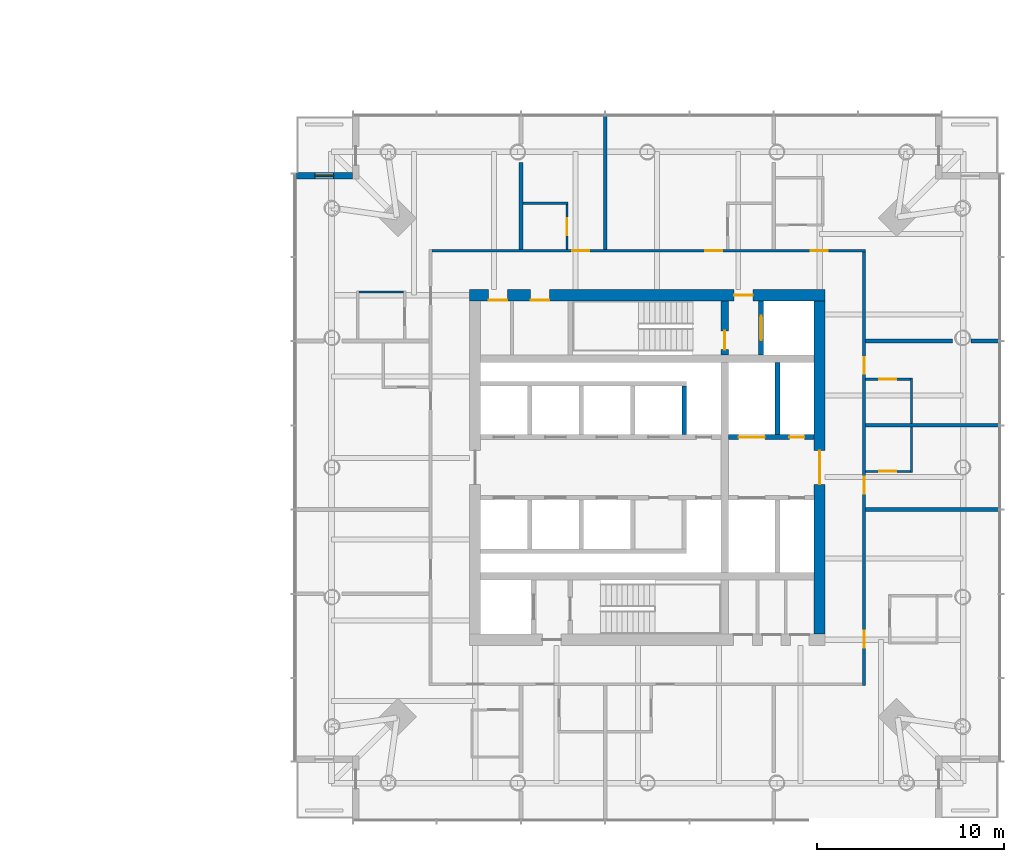
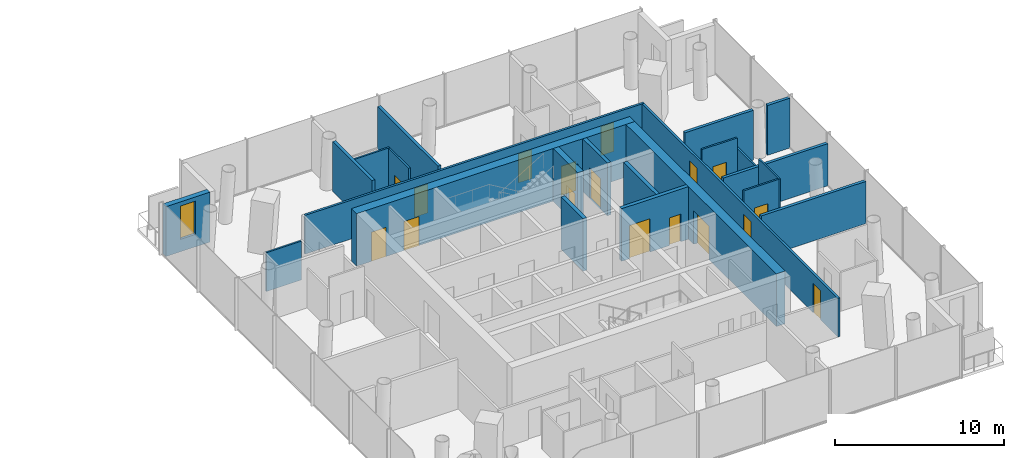
# One storey, part 14 of 18: 23 walls, 17 doors, 1 window, 18 openings.
"""IFC4 building model written with IfcOpenShell, lengths in metres."""

from ifc_helpers import new_model, si_unit, direction, frame, frame_2d, origin, place, context, subcontext, project, spatial, rectangle, extrude, material, layer, layer_set, type_object, element, fill, save


model = new_model("IFC4")

# Units and contexts
model_context = context("Model", 3, precision=1e-05, world=origin(), true_north=direction((0.0, 1.0)))
body_context = subcontext(model_context, "Body", "Model", "MODEL_VIEW")
ifc_project = project(units=[si_unit("LENGTHUNIT", "METRE"), si_unit("AREAUNIT", "SQUARE_METRE"), si_unit("VOLUMEUNIT", "CUBIC_METRE"), si_unit("PLANEANGLEUNIT", "RADIAN"), si_unit("MASSUNIT", "GRAM", prefix="KILO")], contexts=[model_context])

# Site, building, storey
site_placement = place(None, origin())
site = spatial("IfcSite", under=ifc_project, at=site_placement, CompositionType="ELEMENT")
building_placement = place(site_placement, origin())
building = spatial("IfcBuilding", under=site, at=building_placement, Name="Ostroluk Exchange", CompositionType="ELEMENT")
storey_placement = place(building_placement, frame((0.0, 0.0, 70.39990234375)))
storey = spatial("IfcBuildingStorey", under=building, at=storey_placement, Name="L17", CompositionType="ELEMENT", Elevation=70.39990234375)

# Wall, opening, door
ifc_material_1 = material(Name="Concrete C50/60", Category="concrete")
ifc_layer_1 = layer(ifc_material_1, 0.39990234375)
ifc_layer_set_1 = layer_set([ifc_layer_1], Name="Core cross wall 400 C50/60")
wall_type_1 = type_object("IfcWallType", Name="Core cross wall 400 C50/60", PredefinedType="SHEAR", material=ifc_layer_set_1)
wall_1_placement = place(storey_placement, frame((121.1298828125, 52.0, 0.0), z_axis=(0.0, 0.0, 1.0), x_axis=(0.0, 1.0, 0.0)))
wall_1 = element("IfcWall", 1, at=wall_1_placement, inside=storey, type_object=wall_type_1, Name="T2 core wall YE3", PredefinedType="SHEAR", context=body_context, shape_type="SweptSolid", body=[
    extrude(rectangle(XDim=2.89990234375, YDim=0.39990234375, at=frame_2d((1.449951171875, 0.0))), origin(), (0.0, 0.0, 1.0), 3.800048828125),
])
opening_1_placement = place(wall_1_placement, frame((0.300048828125, 0.0, 0.0)))
opening_1 = element("IfcOpeningElement", 2, at=opening_1_placement, cuts=wall_1, Name="Opening FD60", PredefinedType="OPENING", context=body_context, shape_type="SweptSolid", body=[
    extrude(rectangle(XDim=1.0, YDim=2.10009765625, at=frame_2d((0.5, 1.050048828125))), frame((0.0, 0.2099609375, 0.0), z_axis=(0.0, -1.0, 0.0), x_axis=(1.0, 0.0, 0.0)), (0.0, 0.0, 1.0), 0.419921875),
])
ifc_material_2 = material(Name="Steel", Category="steel")
door_type_1 = type_object("IfcDoorType", Name="Fire door EI 60 1000 x 2100", OperationType="SINGLE_SWING_LEFT", PredefinedType="DOOR", material=ifc_material_2)
door_1_placement = place(opening_1_placement, origin())
door_1 = element("IfcDoor", 3, at=door_1_placement, inside=storey, type_object=door_type_1, Name="Stair T2-S2 door", OperationType="SINGLE_SWING_LEFT", OverallHeight=2.10009765625, OverallWidth=1.0, PredefinedType="DOOR", context=body_context, shape_type="SweptSolid", body=[
    extrude(rectangle(XDim=1.0, YDim=2.10009765625, at=frame_2d((0.5, 1.050048828125))), frame((0.0, 0.02490234375, 0.0), z_axis=(0.0, -1.0, 0.0), x_axis=(1.0, 0.0, 0.0)), (0.0, 0.0, 1.0), 0.050048828125),
])
fill(opening_1, door_1)

ifc_material_3 = material(Name="Concrete C40/50", Category="concrete")
ifc_layer_2 = layer(ifc_material_3, 0.25)
ifc_layer_set_2 = layer_set([ifc_layer_2], Name="Core shaft wall 250")
wall_type_2 = type_object("IfcWallType", Name="Core shaft wall 250", PredefinedType="SHEAR", material=ifc_layer_set_2)
wall_2_placement = place(storey_placement, frame((123.074951171875, 52.0, 0.0), z_axis=(0.0, 0.0, 1.0), x_axis=(0.0, 1.0, 0.0)))
wall_2 = element("IfcWall", 4, at=wall_2_placement, inside=storey, type_object=wall_type_2, Name="Firefighting lift shaft wall", PredefinedType="SHEAR", context=body_context, shape_type="SweptSolid", body=[
    extrude(rectangle(XDim=2.89990234375, YDim=0.25, at=frame_2d((1.449951171875, 0.0))), origin(), (0.0, 0.0, 1.0), 3.800048828125),
])
opening_2_placement = place(wall_2_placement, frame((0.800048828125, 0.0, 0.0)))
opening_2 = element("IfcOpeningElement", 5, at=opening_2_placement, cuts=wall_2, Name="Opening LD2", PredefinedType="OPENING", context=body_context, shape_type="SweptSolid", body=[
    extrude(rectangle(XDim=1.300048828125, YDim=2.199951171875, at=frame_2d((0.64990234375, 1.10009765625))), frame((0.0, 0.135009765625, 0.0), z_axis=(0.0, -1.0, 0.0), x_axis=(1.0, 0.0, 0.0)), (0.0, 0.0, 1.0), 0.27001953125),
])
ifc_material_4 = material(Name="Stainless steel", Category="steel")
door_type_2 = type_object("IfcDoorType", Name="Lift landing door E 60 1300 x 2200", OperationType="DOUBLE_DOOR_SLIDING", PredefinedType="DOOR", material=ifc_material_4)
door_2_placement = place(opening_2_placement, origin())
door_2 = element("IfcDoor", 6, at=door_2_placement, inside=storey, type_object=door_type_2, Name="Lift HF2 landing door", OperationType="DOUBLE_DOOR_SLIDING", OverallHeight=2.199951171875, OverallWidth=1.300048828125, PredefinedType="DOOR", context=body_context, shape_type="SweptSolid", body=[
    extrude(rectangle(XDim=1.300048828125, YDim=2.199951171875, at=frame_2d((0.64990234375, 1.10009765625))), frame((0.0, 0.02490234375, 0.0), z_axis=(0.0, -1.0, 0.0), x_axis=(1.0, 0.0, 0.0)), (0.0, 0.0, 1.0), 0.050048828125),
])
fill(opening_2, door_2)

# Walls
wall_3_placement = place(storey_placement, frame((118.97509765625, 47.75, 0.0), z_axis=(0.0, 0.0, 1.0), x_axis=(0.0, 1.0, 0.0)))
element("IfcWall", 7, at=wall_3_placement, inside=storey, type_object=wall_type_2, Name="Lift shaft wall", PredefinedType="SHEAR", context=body_context, shape_type="SweptSolid", body=[
    extrude(rectangle(XDim=2.60009765625, YDim=0.25, at=frame_2d((1.300048828125, 0.0))), origin(), (0.0, 0.0, 1.0), 3.800048828125),
])
wall_4_placement = place(storey_placement, frame((123.955078125, 47.75, 0.0), z_axis=(0.0, 0.0, 1.0), x_axis=(0.0, 1.0, 0.0)))
element("IfcWall", 8, at=wall_4_placement, inside=storey, type_object=wall_type_2, Name="Lift shaft wall", PredefinedType="SHEAR", context=body_context, shape_type="SweptSolid", body=[
    extrude(rectangle(XDim=3.85009765625, YDim=0.25, at=frame_2d((1.925048828125, 0.0))), origin(), (0.0, 0.0, 1.0), 3.800048828125),
])

# Wall, openings, doors
wall_5_placement = place(storey_placement, frame((121.330078125, 47.625, 0.0), z_axis=(0.0, 0.0, 1.0), x_axis=(1.0, 0.0, 0.0)))
wall_5 = element("IfcWall", 9, at=wall_5_placement, inside=storey, type_object=wall_type_2, Name="Lift shaft front wall", PredefinedType="SHEAR", context=body_context, shape_type="SweptSolid", body=[
    extrude(rectangle(XDim=4.56982421875, YDim=0.25, at=frame_2d((2.284912109375, 0.0))), origin(), (0.0, 0.0, 1.0), 3.800048828125),
])
opening_3_placement = place(wall_5_placement, frame((0.550048828125, 0.0, 0.0)))
opening_3 = element("IfcOpeningElement", 10, at=opening_3_placement, cuts=wall_5, Name="Opening LD3", PredefinedType="OPENING", context=body_context, shape_type="SweptSolid", body=[
    extrude(rectangle(XDim=1.39990234375, YDim=2.39990234375, at=frame_2d((0.699951171875, 1.199951171875))), frame((0.0, 0.135009765625, 0.0), z_axis=(0.0, -1.0, 0.0), x_axis=(1.0, 0.0, 0.0)), (0.0, 0.0, 1.0), 0.27001953125),
])
opening_4_placement = place(wall_5_placement, frame((3.260009765625, 0.0, 0.0)))
opening_4 = element("IfcOpeningElement", 11, at=opening_4_placement, cuts=wall_5, Name="Opening RD60", PredefinedType="OPENING", context=body_context, shape_type="SweptSolid", body=[
    extrude(rectangle(XDim=0.800048828125, YDim=2.0, at=frame_2d((0.39990234375, 1.0))), frame((0.0, 0.135009765625, 0.0), z_axis=(0.0, -1.0, 0.0), x_axis=(1.0, 0.0, 0.0)), (0.0, 0.0, 1.0), 0.27001953125),
])
ifc_material_5 = material(Name="Stainless steel", Category="steel")
door_type_3 = type_object("IfcDoorType", Name="Goods lift landing door E 60 1400 x 2400", OperationType="DOUBLE_DOOR_SLIDING", PredefinedType="DOOR", material=ifc_material_5)
door_3_placement = place(opening_3_placement, origin())
door_3 = element("IfcDoor", 12, at=door_3_placement, inside=storey, type_object=door_type_3, Name="Lift HS1 landing door", OperationType="DOUBLE_DOOR_SLIDING", OverallHeight=2.39990234375, OverallWidth=1.39990234375, PredefinedType="DOOR", context=body_context, shape_type="SweptSolid", body=[
    extrude(rectangle(XDim=1.39990234375, YDim=2.39990234375, at=frame_2d((0.699951171875, 1.199951171875))), frame((0.0, 0.02490234375, 0.0), z_axis=(0.0, -1.0, 0.0), x_axis=(1.0, 0.0, 0.0)), (0.0, 0.0, 1.0), 0.050048828125),
])
fill(opening_3, door_3)
ifc_material_6 = material(Name="Steel", Category="steel")
door_type_4 = type_object("IfcDoorType", Name="Riser access door EI 60 800 x 2000", OperationType="SINGLE_SWING_LEFT", PredefinedType="DOOR", material=ifc_material_6)
door_4_placement = place(opening_4_placement, origin())
door_4 = element("IfcDoor", 13, at=door_4_placement, inside=storey, type_object=door_type_4, Name="Riser access door", OperationType="SINGLE_SWING_RIGHT", OverallHeight=2.0, OverallWidth=0.800048828125, PredefinedType="DOOR", context=body_context, shape_type="SweptSolid", body=[
    extrude(rectangle(XDim=0.800048828125, YDim=2.0, at=frame_2d((0.39990234375, 1.0))), frame((0.0, 0.02490234375, 0.0), z_axis=(0.0, -1.0, 0.0), x_axis=(1.0, 0.0, 0.0)), (0.0, 0.0, 1.0), 0.050048828125),
])
fill(opening_4, door_4)

ifc_material_7 = material(Name="Concrete C50/60", Category="concrete")
ifc_layer_3 = layer(ifc_material_7, 0.60009765625)
ifc_layer_set_3 = layer_set([ifc_layer_3], Name="Core wall 600 C50/60")
wall_type_3 = type_object("IfcWallType", Name="Core wall 600 C50/60", PredefinedType="SHEAR", material=ifc_layer_set_3)
wall_6_placement = place(storey_placement, frame((107.5, 55.199951171875, 0.0), z_axis=(0.0, 0.0, 1.0), x_axis=(1.0, 0.0, 0.0)))
wall_6 = element("IfcWall", 14, at=wall_6_placement, inside=storey, type_object=wall_type_3, Name="T2 core wall N", PredefinedType="SHEAR", context=body_context, shape_type="SweptSolid", body=[
    extrude(rectangle(XDim=19.0, YDim=0.60009765625, at=frame_2d((9.5, 0.0))), origin(), (0.0, 0.0, 1.0), 3.800048828125),
])
opening_5_placement = place(wall_6_placement, frame((14.139892578125, 0.0, 0.0)))
opening_5 = element("IfcOpeningElement", 15, at=opening_5_placement, cuts=wall_6, Name="Opening FD60", PredefinedType="OPENING", context=body_context, shape_type="SweptSolid", body=[
    extrude(rectangle(XDim=1.0, YDim=2.10009765625, at=frame_2d((0.5, 1.050048828125))), frame((0.0, 0.31005859375, 0.0), z_axis=(0.0, -1.0, 0.0), x_axis=(1.0, 0.0, 0.0)), (0.0, 0.0, 1.0), 0.6201171875),
])
opening_6_placement = place(wall_6_placement, frame((1.02392578125, 0.0, 0.0)))
opening_6 = element("IfcOpeningElement", 16, at=opening_6_placement, cuts=wall_6, Name="Opening FD60", PredefinedType="OPENING", context=body_context, shape_type="SweptSolid", body=[
    extrude(rectangle(XDim=1.0, YDim=2.10009765625, at=frame_2d((0.5, 1.050048828125))), frame((0.0, 0.31005859375, 0.0), z_axis=(0.0, -1.0, 0.0), x_axis=(1.0, 0.0, 0.0)), (0.0, 0.0, 1.0), 0.6201171875),
])
opening_7_placement = place(wall_6_placement, frame((3.261962890625, 0.0, 0.0)))
opening_7 = element("IfcOpeningElement", 17, at=opening_7_placement, cuts=wall_6, Name="Opening FD60", PredefinedType="OPENING", context=body_context, shape_type="SweptSolid", body=[
    extrude(rectangle(XDim=1.0, YDim=2.10009765625, at=frame_2d((0.5, 1.050048828125))), frame((0.0, 0.31005859375, 0.0), z_axis=(0.0, -1.0, 0.0), x_axis=(1.0, 0.0, 0.0)), (0.0, 0.0, 1.0), 0.6201171875),
])
door_5_placement = place(opening_5_placement, origin())
door_5 = element("IfcDoor", 18, at=door_5_placement, inside=storey, type_object=door_type_1, Name="Firefighting lobby door", OperationType="SINGLE_SWING_RIGHT", OverallHeight=2.10009765625, OverallWidth=1.0, PredefinedType="DOOR", context=body_context, shape_type="SweptSolid", body=[
    extrude(rectangle(XDim=1.0, YDim=2.10009765625, at=frame_2d((0.5, 1.050048828125))), frame((0.0, 0.02490234375, 0.0), z_axis=(0.0, -1.0, 0.0), x_axis=(1.0, 0.0, 0.0)), (0.0, 0.0, 1.0), 0.050048828125),
])
fill(opening_5, door_5)
door_6_placement = place(opening_6_placement, origin())
door_6 = element("IfcDoor", 19, at=door_6_placement, inside=storey, type_object=door_type_1, Name="Comms room door", OperationType="SINGLE_SWING_LEFT", OverallHeight=2.10009765625, OverallWidth=1.0, PredefinedType="DOOR", context=body_context, shape_type="SweptSolid", body=[
    extrude(rectangle(XDim=1.0, YDim=2.10009765625, at=frame_2d((0.5, 1.050048828125))), frame((0.0, -0.23974609375, 0.0), z_axis=(0.0, -1.0, 0.0), x_axis=(1.0, 0.0, 0.0)), (0.0, 0.0, 1.0), 0.050048828125),
])
fill(opening_6, door_6)
door_7_placement = place(opening_7_placement, origin())
door_7 = element("IfcDoor", 20, at=door_7_placement, inside=storey, type_object=door_type_1, Name="Ice and vending room door", OperationType="SINGLE_SWING_LEFT", OverallHeight=2.10009765625, OverallWidth=1.0, PredefinedType="DOOR", context=body_context, shape_type="SweptSolid", body=[
    extrude(rectangle(XDim=1.0, YDim=2.10009765625, at=frame_2d((0.5, 1.050048828125))), frame((0.0, -0.23974609375, 0.0), z_axis=(0.0, -1.0, 0.0), x_axis=(1.0, 0.0, 0.0)), (0.0, 0.0, 1.0), 0.050048828125),
])
fill(opening_7, door_7)

# Wall, opening, door
wall_7_placement = place(storey_placement, frame((126.199951171875, 37.10009765625, 0.0), z_axis=(0.0, 0.0, 1.0), x_axis=(0.0, 1.0, 0.0)))
wall_7 = element("IfcWall", 21, at=wall_7_placement, inside=storey, type_object=wall_type_3, Name="T2 core wall E", PredefinedType="SHEAR", context=body_context, shape_type="SweptSolid", body=[
    extrude(rectangle(XDim=17.7998046875, YDim=0.60009765625, at=frame_2d((8.89990234375, 0.0))), origin(), (0.0, 0.0, 1.0), 3.800048828125),
])
opening_8_placement = place(wall_7_placement, frame((8.0, 0.0, 0.0)))
opening_8 = element("IfcOpeningElement", 22, at=opening_8_placement, cuts=wall_7, Name="Opening FD30D", PredefinedType="OPENING", context=body_context, shape_type="SweptSolid", body=[
    extrude(rectangle(XDim=1.800048828125, YDim=2.39990234375, at=frame_2d((0.89990234375, 1.199951171875))), frame((0.0, 0.31005859375, 0.0), z_axis=(0.0, -1.0, 0.0), x_axis=(1.0, 0.0, 0.0)), (0.0, 0.0, 1.0), 0.6201171875),
])
ifc_material_8 = material(Name="Timber", Category="wood")
door_type_5 = type_object("IfcDoorType", Name="Lobby double door EI 30 1800 x 2400", OperationType="DOUBLE_DOOR_SINGLE_SWING", PredefinedType="DOOR", material=ifc_material_8)
door_8_placement = place(opening_8_placement, origin())
door_8 = element("IfcDoor", 23, at=door_8_placement, inside=storey, type_object=door_type_5, Name="Lift lobby doors", OperationType="DOUBLE_DOOR_SINGLE_SWING", OverallHeight=2.39990234375, OverallWidth=1.800048828125, PredefinedType="DOOR", context=body_context, shape_type="SweptSolid", body=[
    extrude(rectangle(XDim=1.800048828125, YDim=2.39990234375, at=frame_2d((0.89990234375, 1.199951171875))), frame((0.0, 0.02490234375, 0.0), z_axis=(0.0, -1.0, 0.0), x_axis=(1.0, 0.0, 0.0)), (0.0, 0.0, 1.0), 0.050048828125),
])
fill(opening_8, door_8)

# Wall, opening, window
ifc_material_9 = material(Name="Limestone", Category="masonry")
ifc_layer_4 = layer(ifc_material_9, 0.35009765625)
ifc_layer_set_4 = layer_set([ifc_layer_4], Name="Limestone facade wall 350")
wall_type_4 = type_object("IfcWallType", Name="Limestone facade wall 350", PredefinedType="SOLIDWALL", material=ifc_layer_set_4)
wall_8_placement = place(storey_placement, frame((101.25, 61.574951171875, 0.0), z_axis=(0.0, 0.0, 1.0), x_axis=(-1.0, 0.0, 0.0)))
wall_8 = element("IfcWall", 24, at=wall_8_placement, inside=storey, type_object=wall_type_4, Name="Hotel tower NW corner wall L17 b", PredefinedType="SOLIDWALL", context=body_context, shape_type="SweptSolid", body=[
    extrude(rectangle(XDim=3.0, YDim=0.35009765625, at=frame_2d((1.5, 0.0))), origin(), (0.0, 0.0, 1.0), 3.60009765625),
])
opening_9_placement = place(wall_8_placement, frame((1.0, 0.0, 0.89990234375)))
opening_9 = element("IfcOpeningElement", 25, at=opening_9_placement, cuts=wall_8, Name="Opening WN-L3", PredefinedType="OPENING", context=body_context, shape_type="SweptSolid", body=[
    extrude(rectangle(XDim=1.0, YDim=2.39990234375, at=frame_2d((0.5, 1.199951171875))), frame((0.0, 0.18505859375, 0.0), z_axis=(0.0, -1.0, 0.0), x_axis=(1.0, 0.0, 0.0)), (0.0, 0.0, 1.0), 0.3701171875),
])
ifc_material_10 = material(Name="Laminated clear glass", Category="glass")
window_type = type_object("IfcWindowType", Name="Hotel lancet window 1000 x 2400", PartitioningType="SINGLE_PANEL", PredefinedType="WINDOW", material=ifc_material_10)
window_placement = place(opening_9_placement, origin())
window = element("IfcWindow", 26, at=window_placement, inside=storey, type_object=window_type, Name="Hotel tower NW lancet window L17", OverallHeight=2.39990234375, OverallWidth=1.0, PartitioningType="SINGLE_PANEL", PredefinedType="WINDOW", context=body_context, shape_type="SweptSolid", body=[
    extrude(rectangle(XDim=1.0, YDim=2.39990234375, at=frame_2d((0.5, 1.199951171875))), frame((0.0, 0.030029296875, 0.0), z_axis=(0.0, -1.0, 0.0), x_axis=(1.0, 0.0, 0.0)), (0.0, 0.0, 1.0), 0.06005859375),
])
fill(opening_9, window)

# Wall
ifc_material_11 = material(Name="Gypsum plasterboard partition, moisture resistant", Category="gypsum")
ifc_layer_5 = layer(ifc_material_11, 0.1201171875)
ifc_layer_set_5 = layer_set([ifc_layer_5], Name="Plasterboard en-suite wall 120")
wall_type_5 = type_object("IfcWallType", Name="Plasterboard en-suite wall 120", PredefinedType="PARTITIONING", material=ifc_layer_set_5)
wall_9_placement = place(storey_placement, frame((131.110107421875, 45.72998046875, 0.0), z_axis=(0.0, 0.0, 1.0), x_axis=(0.0, 1.0, 0.0)))
element("IfcWall", 27, at=wall_9_placement, inside=storey, type_object=wall_type_5, Name="En-suite wall", PredefinedType="PARTITIONING", context=body_context, shape_type="SweptSolid", body=[
    extrude(rectangle(XDim=2.419921875, YDim=0.1201171875, at=frame_2d((1.2099609375, 0.0))), origin(), (0.0, 0.0, 1.0), 3.60009765625),
])

# Wall, opening, door
wall_10_placement = place(storey_placement, frame((128.64990234375, 45.7900390625, 0.0), z_axis=(0.0, 0.0, 1.0), x_axis=(1.0, 0.0, 0.0)))
wall_10 = element("IfcWall", 28, at=wall_10_placement, inside=storey, type_object=wall_type_5, Name="En-suite wall", PredefinedType="PARTITIONING", context=body_context, shape_type="SweptSolid", body=[
    extrude(rectangle(XDim=2.400146484375, YDim=0.1201171875, at=frame_2d((1.2001953125, 0.0))), origin(), (0.0, 0.0, 1.0), 3.60009765625),
])
opening_10_placement = place(wall_10_placement, frame((0.75, 0.0, 0.0)))
opening_10 = element("IfcOpeningElement", 29, at=opening_10_placement, cuts=wall_10, Name="Opening D-02", PredefinedType="OPENING", context=body_context, shape_type="SweptSolid", body=[
    extrude(rectangle(XDim=0.89990234375, YDim=2.10009765625, at=frame_2d((0.449951171875, 1.050048828125))), frame((0.0, 0.070068359375, 0.0), z_axis=(0.0, -1.0, 0.0), x_axis=(1.0, 0.0, 0.0)), (0.0, 0.0, 1.0), 0.14013671875),
])
ifc_material_12 = material(Name="Timber", Category="wood")
door_type_6 = type_object("IfcDoorType", Name="En-suite door 900 x 2100", OperationType="SINGLE_SWING_LEFT", PredefinedType="DOOR", material=ifc_material_12)
door_9_placement = place(opening_10_placement, origin())
door_9 = element("IfcDoor", 30, at=door_9_placement, inside=storey, type_object=door_type_6, Name="En-suite door 1702", OperationType="SINGLE_SWING_LEFT", OverallHeight=2.10009765625, OverallWidth=0.89990234375, PredefinedType="DOOR", context=body_context, shape_type="SweptSolid", body=[
    extrude(rectangle(XDim=0.89990234375, YDim=2.10009765625, at=frame_2d((0.449951171875, 1.050048828125))), frame((0.0, 0.02490234375, 0.0), z_axis=(0.0, -1.0, 0.0), x_axis=(1.0, 0.0, 0.0)), (0.0, 0.0, 1.0), 0.050048828125),
])
fill(opening_10, door_9)

# Wall
wall_11_placement = place(storey_placement, frame((131.110107421875, 48.35009765625, 0.0), z_axis=(0.0, 0.0, 1.0), x_axis=(0.0, 1.0, 0.0)))
element("IfcWall", 31, at=wall_11_placement, inside=storey, type_object=wall_type_5, Name="En-suite wall", PredefinedType="PARTITIONING", context=body_context, shape_type="SweptSolid", body=[
    extrude(rectangle(XDim=2.419921875, YDim=0.1201171875, at=frame_2d((1.2099609375, 0.0))), origin(), (0.0, 0.0, 1.0), 2.84716796875),
])

# Wall, opening, door
wall_12_placement = place(storey_placement, frame((128.64990234375, 50.7099609375, 0.0), z_axis=(0.0, 0.0, 1.0), x_axis=(1.0, 0.0, 0.0)))
wall_12 = element("IfcWall", 32, at=wall_12_placement, inside=storey, type_object=wall_type_5, Name="En-suite wall", PredefinedType="PARTITIONING", context=body_context, shape_type="SweptSolid", body=[
    extrude(rectangle(XDim=2.400146484375, YDim=0.1201171875, at=frame_2d((1.2001953125, 0.0))), origin(), (0.0, 0.0, 1.0), 3.60009765625),
])
opening_11_placement = place(wall_12_placement, frame((0.75, 0.0, 0.0)))
opening_11 = element("IfcOpeningElement", 33, at=opening_11_placement, cuts=wall_12, Name="Opening D-02", PredefinedType="OPENING", context=body_context, shape_type="SweptSolid", body=[
    extrude(rectangle(XDim=0.89990234375, YDim=2.10009765625, at=frame_2d((0.449951171875, 1.050048828125))), frame((0.0, 0.070068359375, 0.0), z_axis=(0.0, -1.0, 0.0), x_axis=(1.0, 0.0, 0.0)), (0.0, 0.0, 1.0), 0.14013671875),
])
door_10_placement = place(opening_11_placement, origin())
door_10 = element("IfcDoor", 34, at=door_10_placement, inside=storey, type_object=door_type_6, Name="En-suite door 1703", OperationType="SINGLE_SWING_LEFT", OverallHeight=2.10009765625, OverallWidth=0.89990234375, PredefinedType="DOOR", context=body_context, shape_type="SweptSolid", body=[
    extrude(rectangle(XDim=0.89990234375, YDim=2.10009765625, at=frame_2d((0.449951171875, 1.050048828125))), frame((0.0, 0.02490234375, 0.0), z_axis=(0.0, -1.0, 0.0), x_axis=(1.0, 0.0, 0.0)), (0.0, 0.0, 1.0), 0.050048828125),
])
fill(opening_11, door_10)

# Wall
wall_13_placement = place(storey_placement, frame((112.77001953125, 60.110107421875, 0.0), z_axis=(0.0, 0.0, 1.0), x_axis=(-1.0, 0.0, 0.0)))
element("IfcWall", 35, at=wall_13_placement, inside=storey, type_object=wall_type_5, Name="En-suite wall", PredefinedType="PARTITIONING", context=body_context, shape_type="SweptSolid", body=[
    extrude(rectangle(XDim=2.419921875, YDim=0.1201171875, at=frame_2d((1.2099609375, 0.0))), origin(), (0.0, 0.0, 1.0), 3.60009765625),
])

# Wall, opening, door
wall_14_placement = place(storey_placement, frame((112.7099609375, 57.64990234375, 0.0), z_axis=(0.0, 0.0, 1.0), x_axis=(0.0, 1.0, 0.0)))
wall_14 = element("IfcWall", 36, at=wall_14_placement, inside=storey, type_object=wall_type_5, Name="En-suite wall", PredefinedType="PARTITIONING", context=body_context, shape_type="SweptSolid", body=[
    extrude(rectangle(XDim=2.400146484375, YDim=0.1201171875, at=frame_2d((1.2001953125, 0.0))), origin(), (0.0, 0.0, 1.0), 3.60009765625),
])
opening_12_placement = place(wall_14_placement, frame((0.75, 0.0, 0.0)))
opening_12 = element("IfcOpeningElement", 37, at=opening_12_placement, cuts=wall_14, Name="Opening D-02", PredefinedType="OPENING", context=body_context, shape_type="SweptSolid", body=[
    extrude(rectangle(XDim=0.89990234375, YDim=2.10009765625, at=frame_2d((0.449951171875, 1.050048828125))), frame((0.0, 0.070068359375, 0.0), z_axis=(0.0, -1.0, 0.0), x_axis=(1.0, 0.0, 0.0)), (0.0, 0.0, 1.0), 0.14013671875),
])
door_11_placement = place(opening_12_placement, origin())
door_11 = element("IfcDoor", 38, at=door_11_placement, inside=storey, type_object=door_type_6, Name="En-suite door 1706", OperationType="SINGLE_SWING_RIGHT", OverallHeight=2.10009765625, OverallWidth=0.89990234375, PredefinedType="DOOR", context=body_context, shape_type="SweptSolid", body=[
    extrude(rectangle(XDim=0.89990234375, YDim=2.10009765625, at=frame_2d((0.449951171875, 1.050048828125))), frame((0.0, 0.02490234375, 0.0), z_axis=(0.0, -1.0, 0.0), x_axis=(1.0, 0.0, 0.0)), (0.0, 0.0, 1.0), 0.050048828125),
])
fill(opening_12, door_11)

# Wall
wall_15_placement = place(storey_placement, frame((103.989990234375, 55.3701171875, 0.0), z_axis=(0.0, 0.0, 1.0), x_axis=(-1.0, 0.0, 0.0)))
element("IfcWall", 39, at=wall_15_placement, inside=storey, type_object=wall_type_5, Name="En-suite wall", PredefinedType="PARTITIONING", context=body_context, shape_type="SweptSolid", body=[
    extrude(rectangle(XDim=2.39990234375, YDim=0.1201171875, at=frame_2d((1.199951171875, 0.0))), origin(), (0.0, 0.0, 1.0), 2.800048828125),
])

# Wall, openings, doors
ifc_material_13 = material(Name="Gypsum plasterboard partition", Category="gypsum")
ifc_layer_6 = layer(ifc_material_13, 0.14990234375)
ifc_layer_set_6 = layer_set([ifc_layer_6], Name="Plasterboard partition 150")
wall_type_6 = type_object("IfcWallType", Name="Plasterboard partition 150", PredefinedType="PARTITIONING", material=ifc_layer_set_6)
wall_16_placement = place(storey_placement, frame((128.574951171875, 34.35009765625, 0.0), z_axis=(0.0, 0.0, 1.0), x_axis=(0.0, 1.0, 0.0)))
wall_16 = element("IfcWall", 40, at=wall_16_placement, inside=storey, type_object=wall_type_6, Name="Corridor wall", PredefinedType="PARTITIONING", context=body_context, shape_type="SweptSolid", body=[
    extrude(rectangle(XDim=23.14990234375, YDim=0.14990234375, at=frame_2d((11.574951171875, 0.0))), origin(), (0.0, 0.0, 1.0), 2.800048828125),
])
opening_13_placement = place(wall_16_placement, frame((2.02490234375, 0.0, 0.0)))
opening_13 = element("IfcOpeningElement", 41, at=opening_13_placement, cuts=wall_16, Name="Opening D-01", PredefinedType="OPENING", context=body_context, shape_type="SweptSolid", body=[
    extrude(rectangle(XDim=0.89990234375, YDim=2.10009765625, at=frame_2d((0.449951171875, 1.050048828125))), frame((0.0, 0.0849609375, 0.0), z_axis=(0.0, -1.0, 0.0), x_axis=(1.0, 0.0, 0.0)), (0.0, 0.0, 1.0), 0.169921875),
])
opening_14_placement = place(wall_16_placement, frame((10.25, 0.0, 0.0)))
opening_14 = element("IfcOpeningElement", 42, at=opening_14_placement, cuts=wall_16, Name="Opening D-01", PredefinedType="OPENING", context=body_context, shape_type="SweptSolid", body=[
    extrude(rectangle(XDim=0.89990234375, YDim=2.10009765625, at=frame_2d((0.449951171875, 1.050048828125))), frame((0.0, 0.0849609375, 0.0), z_axis=(0.0, -1.0, 0.0), x_axis=(1.0, 0.0, 0.0)), (0.0, 0.0, 1.0), 0.169921875),
])
opening_15_placement = place(wall_16_placement, frame((16.64990234375, 0.0, 0.0)))
opening_15 = element("IfcOpeningElement", 43, at=opening_15_placement, cuts=wall_16, Name="Opening D-01", PredefinedType="OPENING", context=body_context, shape_type="SweptSolid", body=[
    extrude(rectangle(XDim=0.89990234375, YDim=2.10009765625, at=frame_2d((0.449951171875, 1.050048828125))), frame((0.0, 0.0849609375, 0.0), z_axis=(0.0, -1.0, 0.0), x_axis=(1.0, 0.0, 0.0)), (0.0, 0.0, 1.0), 0.169921875),
])
ifc_material_14 = material(Name="Timber", Category="wood")
door_type_7 = type_object("IfcDoorType", Name="Hotel room door EI 30 Sa 900 x 2100", OperationType="SINGLE_SWING_LEFT", PredefinedType="DOOR", material=ifc_material_14)
door_12_placement = place(opening_13_placement, origin())
door_12 = element("IfcDoor", 44, at=door_12_placement, inside=storey, type_object=door_type_7, Name="Room door 1701", OperationType="SINGLE_SWING_LEFT", OverallHeight=2.10009765625, OverallWidth=0.89990234375, PredefinedType="DOOR", context=body_context, shape_type="SweptSolid", body=[
    extrude(rectangle(XDim=0.89990234375, YDim=2.10009765625, at=frame_2d((0.449951171875, 1.050048828125))), frame((0.0, 0.02490234375, 0.0), z_axis=(0.0, -1.0, 0.0), x_axis=(1.0, 0.0, 0.0)), (0.0, 0.0, 1.0), 0.050048828125),
])
fill(opening_13, door_12)
door_13_placement = place(opening_14_placement, origin())
door_13 = element("IfcDoor", 45, at=door_13_placement, inside=storey, type_object=door_type_7, Name="Room door 1702", OperationType="SINGLE_SWING_LEFT", OverallHeight=2.10009765625, OverallWidth=0.89990234375, PredefinedType="DOOR", context=body_context, shape_type="SweptSolid", body=[
    extrude(rectangle(XDim=0.89990234375, YDim=2.10009765625, at=frame_2d((0.449951171875, 1.050048828125))), frame((0.0, 0.02490234375, 0.0), z_axis=(0.0, -1.0, 0.0), x_axis=(1.0, 0.0, 0.0)), (0.0, 0.0, 1.0), 0.050048828125),
])
fill(opening_14, door_13)
door_14_placement = place(opening_15_placement, origin())
door_14 = element("IfcDoor", 46, at=door_14_placement, inside=storey, type_object=door_type_7, Name="Room door 1703", OperationType="SINGLE_SWING_RIGHT", OverallHeight=2.10009765625, OverallWidth=0.89990234375, PredefinedType="DOOR", context=body_context, shape_type="SweptSolid", body=[
    extrude(rectangle(XDim=0.89990234375, YDim=2.10009765625, at=frame_2d((0.449951171875, 1.050048828125))), frame((0.0, 0.02490234375, 0.0), z_axis=(0.0, -1.0, 0.0), x_axis=(1.0, 0.0, 0.0)), (0.0, 0.0, 1.0), 0.050048828125),
])
fill(opening_15, door_14)

wall_17_placement = place(storey_placement, frame((128.64990234375, 57.574951171875, 0.0), z_axis=(0.0, 0.0, 1.0), x_axis=(-1.0, 0.0, 0.0)))
wall_17 = element("IfcWall", 47, at=wall_17_placement, inside=storey, type_object=wall_type_6, Name="Corridor wall", PredefinedType="PARTITIONING", context=body_context, shape_type="SweptSolid", body=[
    extrude(rectangle(XDim=23.14990234375, YDim=0.14990234375, at=frame_2d((11.574951171875, 0.0))), origin(), (0.0, 0.0, 1.0), 2.800048828125),
])
opening_16_placement = place(wall_17_placement, frame((2.02490234375, 0.0, 0.0)))
opening_16 = element("IfcOpeningElement", 48, at=opening_16_placement, cuts=wall_17, Name="Opening D-01", PredefinedType="OPENING", context=body_context, shape_type="SweptSolid", body=[
    extrude(rectangle(XDim=0.89990234375, YDim=2.10009765625, at=frame_2d((0.449951171875, 1.050048828125))), frame((0.0, 0.0849609375, 0.0), z_axis=(0.0, -1.0, 0.0), x_axis=(1.0, 0.0, 0.0)), (0.0, 0.0, 1.0), 0.169921875),
])
opening_17_placement = place(wall_17_placement, frame((7.64990234375, 0.0, 0.0)))
opening_17 = element("IfcOpeningElement", 49, at=opening_17_placement, cuts=wall_17, Name="Opening D-01", PredefinedType="OPENING", context=body_context, shape_type="SweptSolid", body=[
    extrude(rectangle(XDim=0.89990234375, YDim=2.10009765625, at=frame_2d((0.449951171875, 1.050048828125))), frame((0.0, 0.0849609375, 0.0), z_axis=(0.0, -1.0, 0.0), x_axis=(1.0, 0.0, 0.0)), (0.0, 0.0, 1.0), 0.169921875),
])
opening_18_placement = place(wall_17_placement, frame((14.75, 0.0, 0.0)))
opening_18 = element("IfcOpeningElement", 50, at=opening_18_placement, cuts=wall_17, Name="Opening D-01", PredefinedType="OPENING", context=body_context, shape_type="SweptSolid", body=[
    extrude(rectangle(XDim=0.89990234375, YDim=2.10009765625, at=frame_2d((0.449951171875, 1.050048828125))), frame((0.0, 0.0849609375, 0.0), z_axis=(0.0, -1.0, 0.0), x_axis=(1.0, 0.0, 0.0)), (0.0, 0.0, 1.0), 0.169921875),
])
door_15_placement = place(opening_16_placement, origin())
door_15 = element("IfcDoor", 51, at=door_15_placement, inside=storey, type_object=door_type_7, Name="Room door 1704", OperationType="SINGLE_SWING_LEFT", OverallHeight=2.10009765625, OverallWidth=0.89990234375, PredefinedType="DOOR", context=body_context, shape_type="SweptSolid", body=[
    extrude(rectangle(XDim=0.89990234375, YDim=2.10009765625, at=frame_2d((0.449951171875, 1.050048828125))), frame((0.0, 0.02490234375, 0.0), z_axis=(0.0, -1.0, 0.0), x_axis=(1.0, 0.0, 0.0)), (0.0, 0.0, 1.0), 0.050048828125),
])
fill(opening_16, door_15)
door_16_placement = place(opening_17_placement, origin())
door_16 = element("IfcDoor", 52, at=door_16_placement, inside=storey, type_object=door_type_7, Name="Room door 1705", OperationType="SINGLE_SWING_LEFT", OverallHeight=2.10009765625, OverallWidth=0.89990234375, PredefinedType="DOOR", context=body_context, shape_type="SweptSolid", body=[
    extrude(rectangle(XDim=0.89990234375, YDim=2.10009765625, at=frame_2d((0.449951171875, 1.050048828125))), frame((0.0, 0.02490234375, 0.0), z_axis=(0.0, -1.0, 0.0), x_axis=(1.0, 0.0, 0.0)), (0.0, 0.0, 1.0), 0.050048828125),
])
fill(opening_17, door_16)
door_17_placement = place(opening_18_placement, origin())
door_17 = element("IfcDoor", 53, at=door_17_placement, inside=storey, type_object=door_type_7, Name="Room door 1706", OperationType="SINGLE_SWING_RIGHT", OverallHeight=2.10009765625, OverallWidth=0.89990234375, PredefinedType="DOOR", context=body_context, shape_type="SweptSolid", body=[
    extrude(rectangle(XDim=0.89990234375, YDim=2.10009765625, at=frame_2d((0.449951171875, 1.050048828125))), frame((0.0, 0.02490234375, 0.0), z_axis=(0.0, -1.0, 0.0), x_axis=(1.0, 0.0, 0.0)), (0.0, 0.0, 1.0), 0.050048828125),
])
fill(opening_18, door_17)

# Walls
ifc_material_15 = material(Name="Gypsum plasterboard partition", Category="gypsum")
ifc_layer_7 = layer(ifc_material_15, 0.199951171875)
ifc_layer_set_7 = layer_set([ifc_layer_7], Name="Plasterboard party wall 200")
wall_type_7 = type_object("IfcWallType", Name="Plasterboard party wall 200", PredefinedType="PARTITIONING", material=ifc_layer_set_7)
for number, where, z_axis, x_axis, name in (
    (54, (128.64990234375, 43.75, 0.0), (0.0, 0.0, 1.0), (1.0, 0.0, 0.0), "Party wall"),
    (55, (128.64990234375, 48.25, 0.0), (0.0, 0.0, 1.0), (1.0, 0.0, 0.0), "Party wall"),
):
    element("IfcWall", number, at=place(storey_placement, frame(where, z_axis=z_axis, x_axis=x_axis)), inside=storey, type_object=wall_type_7, Name=name, PredefinedType="PARTITIONING", context=body_context, shape_type="SweptSolid", body=[
        extrude(rectangle(XDim=7.14013671875, YDim=0.199951171875, at=frame_2d((3.570068359375, 0.0))), origin(), (0.0, 0.0, 1.0), 3.050048828125),
    ])
wall_18_placement = place(storey_placement, frame((128.64990234375, 52.75, 0.0), z_axis=(0.0, 0.0, 1.0), x_axis=(1.0, 0.0, 0.0)))
element("IfcWall", 56, at=wall_18_placement, inside=storey, type_object=wall_type_7, Name="Party wall", PredefinedType="PARTITIONING", context=body_context, shape_type="SweptSolid", body=[
    extrude(rectangle(XDim=4.650390625, YDim=0.199951171875, at=frame_2d((2.3251953125, 0.0))), origin(), (0.0, 0.0, 1.0), 3.60009765625),
])
wall_19_placement = place(storey_placement, frame((134.277099609375, 52.75, 0.0), z_axis=(0.0, 0.0, 1.0), x_axis=(1.0, 0.0, 0.0)))
element("IfcWall", 57, at=wall_19_placement, inside=storey, type_object=wall_type_7, Name="Party wall", PredefinedType="PARTITIONING", context=body_context, shape_type="SweptSolid", body=[
    extrude(rectangle(XDim=1.512939453125, YDim=0.199951171875, at=frame_2d((0.75634765625, 0.0))), origin(), (0.0, 0.0, 1.0), 3.60009765625),
])
wall_20_placement = place(storey_placement, frame((114.75, 57.64990234375, 0.0), z_axis=(0.0, 0.0, 1.0), x_axis=(0.0, 1.0, 0.0)))
element("IfcWall", 58, at=wall_20_placement, inside=storey, type_object=wall_type_7, Name="Party wall", PredefinedType="PARTITIONING", context=body_context, shape_type="SweptSolid", body=[
    extrude(rectangle(XDim=7.14013671875, YDim=0.199951171875, at=frame_2d((3.570068359375, 0.0))), origin(), (0.0, 0.0, 1.0), 3.050048828125),
])
wall_21_placement = place(storey_placement, frame((110.25, 57.64990234375, 0.0), z_axis=(0.0, 0.0, 1.0), x_axis=(0.0, 1.0, 0.0)))
element("IfcWall", 59, at=wall_21_placement, inside=storey, type_object=wall_type_7, Name="Party wall", PredefinedType="PARTITIONING", context=body_context, shape_type="SweptSolid", body=[
    extrude(rectangle(XDim=4.650390625, YDim=0.199951171875, at=frame_2d((2.3251953125, 0.0))), origin(), (0.0, 0.0, 1.0), 3.60009765625),
])

save(model, "model.ifc")
